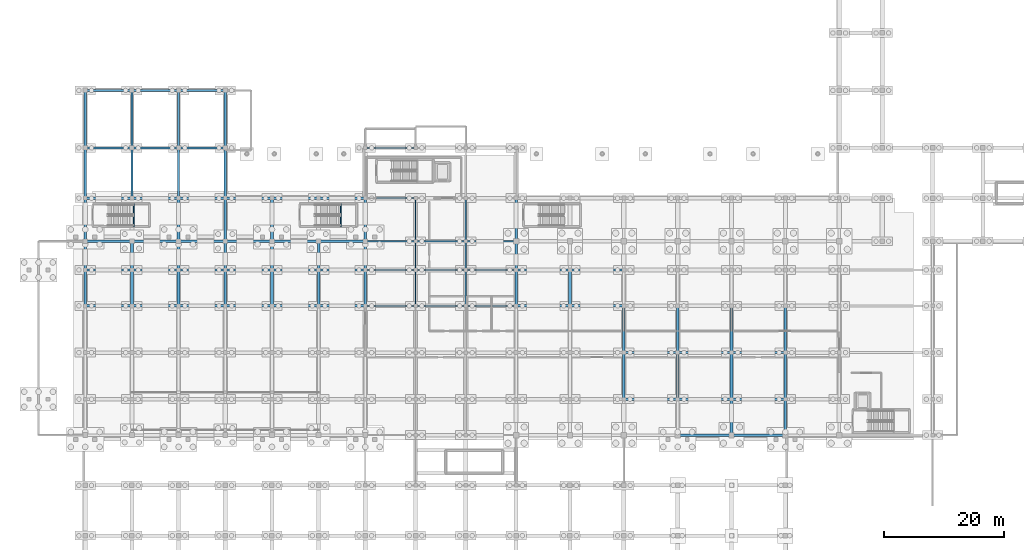
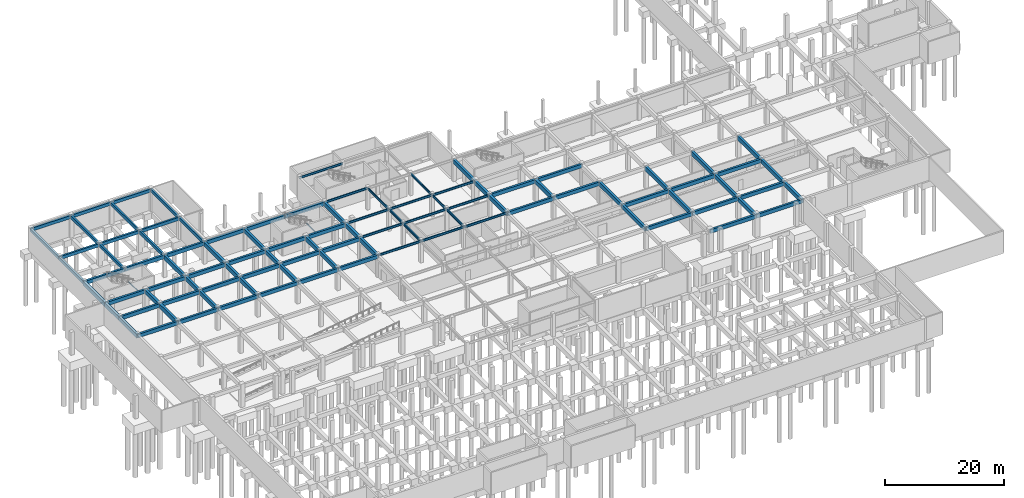
# One storey, part 13 of 26: 102 beams.
"""IFC4 building model written with IfcOpenShell, lengths in metres."""

from ifc_helpers import new_model, si_unit, direction, frame, origin, origin_2d, place, context, subcontext, project, spatial, rectangle, i_section, extrude, material, material_profile, profile_set, type_object, element, save


model = new_model("IFC4")

# Units and contexts
model_context = context("Model", 3, precision=1e-05, world=origin(), true_north=direction((0.0, 1.0)))
body_context = subcontext(model_context, "Body", "Model", "MODEL_VIEW")
ifc_project = project(units=[si_unit("LENGTHUNIT", "METRE"), si_unit("AREAUNIT", "SQUARE_METRE"), si_unit("VOLUMEUNIT", "CUBIC_METRE"), si_unit("PLANEANGLEUNIT", "RADIAN"), si_unit("MASSUNIT", "GRAM", prefix="KILO")], contexts=[model_context])

# Site, building, storey
site_placement = place(None, origin())
site = spatial("IfcSite", under=ifc_project, at=site_placement, CompositionType="ELEMENT")
building_placement = place(site_placement, origin())
building = spatial("IfcBuilding", under=site, at=building_placement, Name="Tizgana Railside Sports Hall", CompositionType="ELEMENT")
storey_placement = place(building_placement, frame((0.0, 0.0, -4.800048828125)))
storey = spatial("IfcBuildingStorey", under=building, at=storey_placement, Name="B1", CompositionType="ELEMENT", Elevation=-4.800048828125)

# Beams
ifc_material_1 = material(Name="Concrete C35/45", Category="concrete")
ifc_material_profile_1 = material_profile(ifc_material_1, rectangle(XDim=0.35009765625, YDim=0.64990234375, at=origin_2d()), Name="RCB 350x650")
ifc_profile_set_1 = profile_set([ifc_material_profile_1], Name="Concrete C35/45")
beam_type_1 = type_object("IfcBeamType", Name="Concrete Beam RCB 350x650", PredefinedType="BEAM", material=ifc_profile_set_1)
beam_1_placement = place(storey_placement, frame((7.800048828125, 80.39990234375, 4.175048828125), z_axis=(0.0, 1.0, 0.0), x_axis=(-1.0, 0.0, 0.0)))
element("IfcBeam", 1, at=beam_1_placement, inside=storey, type_object=beam_type_1, Name="B1 BEM-1302", PredefinedType="BEAM", context=body_context, shape_type="SweptSolid", body=[
    extrude(rectangle(XDim=0.35009765625, YDim=0.64990234375, at=origin_2d()), origin(), (0.0, 0.0, 1.0), 8.400146484375),
])
beam_2_placement = place(storey_placement, frame((7.800048828125, 88.800048828125, 4.175048828125), z_axis=(0.0, 1.0, 0.0), x_axis=(-1.0, 0.0, 0.0)))
element("IfcBeam", 2, at=beam_2_placement, inside=storey, type_object=beam_type_1, Name="B1 BEM-1304", PredefinedType="BEAM", context=body_context, shape_type="SweptSolid", body=[
    extrude(rectangle(XDim=0.35009765625, YDim=0.64990234375, at=origin_2d()), origin(), (0.0, 0.0, 1.0), 9.599853515625),
])
beam_3_placement = place(storey_placement, frame((15.60009765625, 80.39990234375, 4.175048828125), z_axis=(0.0, 1.0, 0.0), x_axis=(-1.0, 0.0, 0.0)))
element("IfcBeam", 3, at=beam_3_placement, inside=storey, type_object=beam_type_1, Name="B1 BEM-1306", PredefinedType="BEAM", context=body_context, shape_type="SweptSolid", body=[
    extrude(rectangle(XDim=0.35009765625, YDim=0.64990234375, at=origin_2d()), origin(), (0.0, 0.0, 1.0), 8.400146484375),
])
beam_4_placement = place(storey_placement, frame((15.60009765625, 88.800048828125, 4.175048828125), z_axis=(0.0, 1.0, 0.0), x_axis=(-1.0, 0.0, 0.0)))
element("IfcBeam", 4, at=beam_4_placement, inside=storey, type_object=beam_type_1, Name="B1 BEM-1308", PredefinedType="BEAM", context=body_context, shape_type="SweptSolid", body=[
    extrude(rectangle(XDim=0.35009765625, YDim=0.64990234375, at=origin_2d()), origin(), (0.0, 0.0, 1.0), 9.599853515625),
])
beam_5_placement = place(storey_placement, frame((23.39990234375, 80.39990234375, 4.175048828125), z_axis=(0.0, 1.0, 0.0), x_axis=(-1.0, 0.0, 0.0)))
element("IfcBeam", 5, at=beam_5_placement, inside=storey, type_object=beam_type_1, Name="B1 BEM-1310", PredefinedType="BEAM", context=body_context, shape_type="SweptSolid", body=[
    extrude(rectangle(XDim=0.35009765625, YDim=0.64990234375, at=origin_2d()), origin(), (0.0, 0.0, 1.0), 8.400146484375),
])
beam_6_placement = place(storey_placement, frame((23.39990234375, 88.800048828125, 4.175048828125), z_axis=(0.0, 1.0, 0.0), x_axis=(-1.0, 0.0, 0.0)))
element("IfcBeam", 6, at=beam_6_placement, inside=storey, type_object=beam_type_1, Name="B1 BEM-1312", PredefinedType="BEAM", context=body_context, shape_type="SweptSolid", body=[
    extrude(rectangle(XDim=0.35009765625, YDim=0.64990234375, at=origin_2d()), origin(), (0.0, 0.0, 1.0), 9.599853515625),
])
beam_7_placement = place(storey_placement, frame((31.199951171875, 80.39990234375, 4.175048828125), z_axis=(0.0, 1.0, 0.0), x_axis=(-1.0, 0.0, 0.0)))
element("IfcBeam", 7, at=beam_7_placement, inside=storey, type_object=beam_type_1, Name="B1 BEM-1314", PredefinedType="BEAM", context=body_context, shape_type="SweptSolid", body=[
    extrude(rectangle(XDim=0.35009765625, YDim=0.64990234375, at=origin_2d()), origin(), (0.0, 0.0, 1.0), 8.400146484375),
])
beam_8_placement = place(storey_placement, frame((31.199951171875, 88.800048828125, 4.175048828125), z_axis=(0.0, 1.0, 0.0), x_axis=(-1.0, 0.0, 0.0)))
element("IfcBeam", 8, at=beam_8_placement, inside=storey, type_object=beam_type_1, Name="B1 BEM-1316", PredefinedType="BEAM", context=body_context, shape_type="SweptSolid", body=[
    extrude(rectangle(XDim=0.35009765625, YDim=0.64990234375, at=origin_2d()), origin(), (0.0, 0.0, 1.0), 9.599853515625),
])
for number, where, z_axis, x_axis, name in (
    (9, (7.800048828125, 88.800048828125, 4.175048828125), (1.0, 0.0, 0.0), (0.0, 1.0, 0.0), "B1 BEM-1318"),
    (10, (7.800048828125, 98.39990234375, 4.175048828125), (1.0, 0.0, 0.0), (0.0, 1.0, 0.0), "B1 BEM-1320"),
):
    element("IfcBeam", number, at=place(storey_placement, frame(where, z_axis=z_axis, x_axis=x_axis)), inside=storey, type_object=beam_type_1, Name=name, PredefinedType="BEAM", context=body_context, shape_type="SweptSolid", body=[
        extrude(rectangle(XDim=0.35009765625, YDim=0.64990234375, at=origin_2d()), origin(), (0.0, 0.0, 1.0), 7.800048828125),
    ])
for number, where, z_axis, x_axis, name in (
    (11, (15.60009765625, 88.800048828125, 4.175048828125), (1.0, 0.0, 0.0), (0.0, 1.0, 0.0), "B1 BEM-1322"),
    (12, (15.60009765625, 98.39990234375, 4.175048828125), (1.0, 0.0, 0.0), (0.0, 1.0, 0.0), "B1 BEM-1324"),
):
    element("IfcBeam", number, at=place(storey_placement, frame(where, z_axis=z_axis, x_axis=x_axis)), inside=storey, type_object=beam_type_1, Name=name, PredefinedType="BEAM", context=body_context, shape_type="SweptSolid", body=[
        extrude(rectangle(XDim=0.35009765625, YDim=0.64990234375, at=origin_2d()), origin(), (0.0, 0.0, 1.0), 7.7998046875),
    ])
for number, where, z_axis, x_axis, name in (
    (13, (23.39990234375, 88.800048828125, 4.175048828125), (1.0, 0.0, 0.0), (0.0, 1.0, 0.0), "B1 BEM-1326"),
    (14, (23.39990234375, 98.39990234375, 4.175048828125), (1.0, 0.0, 0.0), (0.0, 1.0, 0.0), "B1 BEM-1328"),
):
    element("IfcBeam", number, at=place(storey_placement, frame(where, z_axis=z_axis, x_axis=x_axis)), inside=storey, type_object=beam_type_1, Name=name, PredefinedType="BEAM", context=body_context, shape_type="SweptSolid", body=[
        extrude(rectangle(XDim=0.35009765625, YDim=0.64990234375, at=origin_2d()), origin(), (0.0, 0.0, 1.0), 7.800048828125),
    ])
ifc_material_profile_2 = material_profile(ifc_material_1, rectangle(XDim=0.39990234375, YDim=0.75, at=origin_2d()), Name="RCB 400x750")
ifc_profile_set_2 = profile_set([ifc_material_profile_2], Name="Concrete C35/45")
beam_type_2 = type_object("IfcBeamType", Name="Concrete Beam RCB 400x750", PredefinedType="BEAM", material=ifc_profile_set_2)
for number, where, z_axis, x_axis, name in (
    (15, (7.800048828125, 62.39990234375, 4.151123046875), (1.0, 0.0, 0.0), (0.0, 1.0, 0.0), "B1 BEM-1031"),
    (16, (7.800048828125, 68.39990234375, 4.151123046875), (1.0, 0.0, 0.0), (0.0, 1.0, 0.0), "B1 BEM-1032"),
    (17, (7.800048828125, 73.199951171875, 4.151123046875), (1.0, 0.0, 0.0), (0.0, 1.0, 0.0), "B1 BEM-1033"),
    (18, (7.800048828125, 80.39990234375, 4.151123046875), (1.0, 0.0, 0.0), (0.0, 1.0, 0.0), "B1 BEM-1034"),
):
    element("IfcBeam", number, at=place(storey_placement, frame(where, z_axis=z_axis, x_axis=x_axis)), inside=storey, type_object=beam_type_2, Name=name, PredefinedType="BEAM", context=body_context, shape_type="SweptSolid", body=[
        extrude(rectangle(XDim=0.39990234375, YDim=0.75, at=origin_2d()), origin(), (0.0, 0.0, 1.0), 7.800048828125),
    ])
for number, where, z_axis, x_axis, name in (
    (19, (15.60009765625, 62.39990234375, 4.151123046875), (1.0, 0.0, 0.0), (0.0, 1.0, 0.0), "B1 BEM-1038"),
    (20, (15.60009765625, 68.39990234375, 4.151123046875), (1.0, 0.0, 0.0), (0.0, 1.0, 0.0), "B1 BEM-1039"),
    (21, (15.60009765625, 73.199951171875, 4.151123046875), (1.0, 0.0, 0.0), (0.0, 1.0, 0.0), "B1 BEM-1040"),
    (22, (15.60009765625, 80.39990234375, 4.151123046875), (1.0, 0.0, 0.0), (0.0, 1.0, 0.0), "B1 BEM-1041"),
):
    element("IfcBeam", number, at=place(storey_placement, frame(where, z_axis=z_axis, x_axis=x_axis)), inside=storey, type_object=beam_type_2, Name=name, PredefinedType="BEAM", context=body_context, shape_type="SweptSolid", body=[
        extrude(rectangle(XDim=0.39990234375, YDim=0.75, at=origin_2d()), origin(), (0.0, 0.0, 1.0), 7.7998046875),
    ])
for number, where, z_axis, x_axis, name in (
    (23, (23.39990234375, 62.39990234375, 4.151123046875), (1.0, 0.0, 0.0), (0.0, 1.0, 0.0), "B1 BEM-1045"),
    (24, (23.39990234375, 68.39990234375, 4.151123046875), (1.0, 0.0, 0.0), (0.0, 1.0, 0.0), "B1 BEM-1046"),
    (25, (23.39990234375, 73.199951171875, 4.151123046875), (1.0, 0.0, 0.0), (0.0, 1.0, 0.0), "B1 BEM-1047"),
    (26, (23.39990234375, 80.39990234375, 4.151123046875), (1.0, 0.0, 0.0), (0.0, 1.0, 0.0), "B1 BEM-1048"),
    (27, (31.199951171875, 62.39990234375, 4.151123046875), (1.0, 0.0, 0.0), (0.0, 1.0, 0.0), "B1 BEM-1052"),
    (28, (31.199951171875, 68.39990234375, 4.151123046875), (1.0, 0.0, 0.0), (0.0, 1.0, 0.0), "B1 BEM-1053"),
    (29, (31.199951171875, 73.199951171875, 4.151123046875), (1.0, 0.0, 0.0), (0.0, 1.0, 0.0), "B1 BEM-1054"),
    (30, (31.199951171875, 80.39990234375, 4.151123046875), (1.0, 0.0, 0.0), (0.0, 1.0, 0.0), "B1 BEM-1055"),
    (31, (39.0, 62.39990234375, 4.151123046875), (1.0, 0.0, 0.0), (0.0, 1.0, 0.0), "B1 BEM-1059"),
    (32, (39.0, 68.39990234375, 4.151123046875), (1.0, 0.0, 0.0), (0.0, 1.0, 0.0), "B1 BEM-1060"),
    (33, (39.0, 73.199951171875, 4.151123046875), (1.0, 0.0, 0.0), (0.0, 1.0, 0.0), "B1 BEM-1061"),
    (34, (39.0, 80.39990234375, 4.151123046875), (1.0, 0.0, 0.0), (0.0, 1.0, 0.0), "B1 BEM-1062"),
    (35, (46.800048828125, 62.39990234375, 4.151123046875), (1.0, 0.0, 0.0), (0.0, 1.0, 0.0), "B1 BEM-1066"),
    (36, (46.800048828125, 68.39990234375, 4.151123046875), (1.0, 0.0, 0.0), (0.0, 1.0, 0.0), "B1 BEM-1067"),
    (37, (46.800048828125, 73.199951171875, 4.151123046875), (1.0, 0.0, 0.0), (0.0, 1.0, 0.0), "B1 BEM-1068"),
    (38, (46.800048828125, 80.39990234375, 4.151123046875), (1.0, 0.0, 0.0), (0.0, 1.0, 0.0), "B1 BEM-1069"),
):
    element("IfcBeam", number, at=place(storey_placement, frame(where, z_axis=z_axis, x_axis=x_axis)), inside=storey, type_object=beam_type_2, Name=name, PredefinedType="BEAM", context=body_context, shape_type="SweptSolid", body=[
        extrude(rectangle(XDim=0.39990234375, YDim=0.75, at=origin_2d()), origin(), (0.0, 0.0, 1.0), 7.800048828125),
    ])
for number, where, z_axis, x_axis, name in (
    (39, (79.800048828125, 62.39990234375, 4.10107421875), (1.0, 0.0, 0.0), (0.0, 1.0, 0.0), "B1 BEM-1114"),
    (40, (79.800048828125, 68.39990234375, 4.10107421875), (1.0, 0.0, 0.0), (0.0, 1.0, 0.0), "B1 BEM-1115"),
    (41, (88.800048828125, 62.39990234375, 4.10107421875), (1.0, 0.0, 0.0), (0.0, 1.0, 0.0), "B1 BEM-1121"),
    (42, (88.800048828125, 68.39990234375, 4.10107421875), (1.0, 0.0, 0.0), (0.0, 1.0, 0.0), "B1 BEM-1122"),
    (43, (97.800048828125, 46.800048828125, 4.10107421875), (1.0, 0.0, 0.0), (0.0, 1.0, 0.0), "B1 BEM-1126"),
    (44, (97.800048828125, 54.60009765625, 4.10107421875), (1.0, 0.0, 0.0), (0.0, 1.0, 0.0), "B1 BEM-1127"),
    (45, (106.800048828125, 40.800048828125, 4.10107421875), (1.0, 0.0, 0.0), (0.0, 1.0, 0.0), "B1 BEM-1132"),
    (46, (106.800048828125, 46.800048828125, 4.10107421875), (1.0, 0.0, 0.0), (0.0, 1.0, 0.0), "B1 BEM-1133"),
    (47, (106.800048828125, 54.60009765625, 4.10107421875), (1.0, 0.0, 0.0), (0.0, 1.0, 0.0), "B1 BEM-1134"),
    (48, (115.800048828125, 40.800048828125, 4.10107421875), (1.0, 0.0, 0.0), (0.0, 1.0, 0.0), "B1 BEM-1139"),
    (49, (115.800048828125, 46.800048828125, 4.10107421875), (1.0, 0.0, 0.0), (0.0, 1.0, 0.0), "B1 BEM-1140"),
    (50, (115.800048828125, 54.60009765625, 4.10107421875), (1.0, 0.0, 0.0), (0.0, 1.0, 0.0), "B1 BEM-1141"),
):
    element("IfcBeam", number, at=place(storey_placement, frame(where, z_axis=z_axis, x_axis=x_axis)), inside=storey, type_object=beam_type_2, Name=name, PredefinedType="BEAM", context=body_context, shape_type="SweptSolid", body=[
        extrude(rectangle(XDim=0.39990234375, YDim=0.75, at=origin_2d()), origin(), (0.0, 0.0, 1.0), 9.0),
    ])
ifc_material_2 = material(Name="Concrete C40/50", Category="concrete")
ifc_material_profile_3 = material_profile(ifc_material_2, rectangle(XDim=0.449951171875, YDim=0.85009765625, at=origin_2d()), Name="RCB 450x850")
ifc_profile_set_3 = profile_set([ifc_material_profile_3], Name="Concrete C40/50")
beam_type_3 = type_object("IfcBeamType", Name="Concrete Beam RCB 450x850", PredefinedType="BEAM", material=ifc_profile_set_3)
beam_9_placement = place(storey_placement, frame((7.800048828125, 62.39990234375, 4.10107421875), z_axis=(0.0, 1.0, 0.0), x_axis=(-1.0, 0.0, 0.0)))
element("IfcBeam", 51, at=beam_9_placement, inside=storey, type_object=beam_type_3, Name="B1 BEM-0991", PredefinedType="BEAM", context=body_context, shape_type="SweptSolid", body=[
    extrude(rectangle(XDim=0.449951171875, YDim=0.85009765625, at=origin_2d()), origin(), (0.0, 0.0, 1.0), 6.0),
])
beam_10_placement = place(storey_placement, frame((7.800048828125, 68.39990234375, 4.10107421875), z_axis=(0.0, 1.0, 0.0), x_axis=(-1.0, 0.0, 0.0)))
element("IfcBeam", 52, at=beam_10_placement, inside=storey, type_object=beam_type_3, Name="B1 BEM-0992", PredefinedType="BEAM", context=body_context, shape_type="SweptSolid", body=[
    extrude(rectangle(XDim=0.449951171875, YDim=0.85009765625, at=origin_2d()), origin(), (0.0, 0.0, 1.0), 4.800048828125),
])
beam_11_placement = place(storey_placement, frame((7.800048828125, 73.199951171875, 4.10107421875), z_axis=(0.0, 1.0, 0.0), x_axis=(-1.0, 0.0, 0.0)))
element("IfcBeam", 53, at=beam_11_placement, inside=storey, type_object=beam_type_3, Name="B1 BEM-0993", PredefinedType="BEAM", context=body_context, shape_type="SweptSolid", body=[
    extrude(rectangle(XDim=0.449951171875, YDim=0.85009765625, at=origin_2d()), origin(), (0.0, 0.0, 1.0), 7.199951171875),
])
beam_12_placement = place(storey_placement, frame((15.60009765625, 62.39990234375, 4.10107421875), z_axis=(0.0, 1.0, 0.0), x_axis=(-1.0, 0.0, 0.0)))
element("IfcBeam", 54, at=beam_12_placement, inside=storey, type_object=beam_type_3, Name="B1 BEM-0997", PredefinedType="BEAM", context=body_context, shape_type="SweptSolid", body=[
    extrude(rectangle(XDim=0.449951171875, YDim=0.85009765625, at=origin_2d()), origin(), (0.0, 0.0, 1.0), 6.0),
])
beam_13_placement = place(storey_placement, frame((15.60009765625, 68.39990234375, 4.10107421875), z_axis=(0.0, 1.0, 0.0), x_axis=(-1.0, 0.0, 0.0)))
element("IfcBeam", 55, at=beam_13_placement, inside=storey, type_object=beam_type_3, Name="B1 BEM-0998", PredefinedType="BEAM", context=body_context, shape_type="SweptSolid", body=[
    extrude(rectangle(XDim=0.449951171875, YDim=0.85009765625, at=origin_2d()), origin(), (0.0, 0.0, 1.0), 4.800048828125),
])
beam_14_placement = place(storey_placement, frame((23.39990234375, 62.39990234375, 4.10107421875), z_axis=(0.0, 1.0, 0.0), x_axis=(-1.0, 0.0, 0.0)))
element("IfcBeam", 56, at=beam_14_placement, inside=storey, type_object=beam_type_3, Name="B1 BEM-1002", PredefinedType="BEAM", context=body_context, shape_type="SweptSolid", body=[
    extrude(rectangle(XDim=0.449951171875, YDim=0.85009765625, at=origin_2d()), origin(), (0.0, 0.0, 1.0), 6.0),
])
beam_15_placement = place(storey_placement, frame((23.39990234375, 68.39990234375, 4.10107421875), z_axis=(0.0, 1.0, 0.0), x_axis=(-1.0, 0.0, 0.0)))
element("IfcBeam", 57, at=beam_15_placement, inside=storey, type_object=beam_type_3, Name="B1 BEM-1003", PredefinedType="BEAM", context=body_context, shape_type="SweptSolid", body=[
    extrude(rectangle(XDim=0.449951171875, YDim=0.85009765625, at=origin_2d()), origin(), (0.0, 0.0, 1.0), 4.800048828125),
])
beam_16_placement = place(storey_placement, frame((23.39990234375, 73.199951171875, 4.10107421875), z_axis=(0.0, 1.0, 0.0), x_axis=(-1.0, 0.0, 0.0)))
element("IfcBeam", 58, at=beam_16_placement, inside=storey, type_object=beam_type_3, Name="B1 BEM-1004", PredefinedType="BEAM", context=body_context, shape_type="SweptSolid", body=[
    extrude(rectangle(XDim=0.449951171875, YDim=0.85009765625, at=origin_2d()), origin(), (0.0, 0.0, 1.0), 7.199951171875),
])
beam_17_placement = place(storey_placement, frame((31.199951171875, 62.39990234375, 4.10107421875), z_axis=(0.0, 1.0, 0.0), x_axis=(-1.0, 0.0, 0.0)))
element("IfcBeam", 59, at=beam_17_placement, inside=storey, type_object=beam_type_3, Name="B1 BEM-1008", PredefinedType="BEAM", context=body_context, shape_type="SweptSolid", body=[
    extrude(rectangle(XDim=0.449951171875, YDim=0.85009765625, at=origin_2d()), origin(), (0.0, 0.0, 1.0), 6.0),
])
beam_18_placement = place(storey_placement, frame((31.199951171875, 68.39990234375, 4.10107421875), z_axis=(0.0, 1.0, 0.0), x_axis=(-1.0, 0.0, 0.0)))
element("IfcBeam", 60, at=beam_18_placement, inside=storey, type_object=beam_type_3, Name="B1 BEM-1009", PredefinedType="BEAM", context=body_context, shape_type="SweptSolid", body=[
    extrude(rectangle(XDim=0.449951171875, YDim=0.85009765625, at=origin_2d()), origin(), (0.0, 0.0, 1.0), 4.800048828125),
])
beam_19_placement = place(storey_placement, frame((31.199951171875, 73.199951171875, 4.10107421875), z_axis=(0.0, 1.0, 0.0), x_axis=(-1.0, 0.0, 0.0)))
element("IfcBeam", 61, at=beam_19_placement, inside=storey, type_object=beam_type_3, Name="B1 BEM-1010", PredefinedType="BEAM", context=body_context, shape_type="SweptSolid", body=[
    extrude(rectangle(XDim=0.449951171875, YDim=0.85009765625, at=origin_2d()), origin(), (0.0, 0.0, 1.0), 7.199951171875),
])
beam_20_placement = place(storey_placement, frame((39.0, 62.39990234375, 4.10107421875), z_axis=(0.0, 1.0, 0.0), x_axis=(-1.0, 0.0, 0.0)))
element("IfcBeam", 62, at=beam_20_placement, inside=storey, type_object=beam_type_3, Name="B1 BEM-1014", PredefinedType="BEAM", context=body_context, shape_type="SweptSolid", body=[
    extrude(rectangle(XDim=0.449951171875, YDim=0.85009765625, at=origin_2d()), origin(), (0.0, 0.0, 1.0), 6.0),
])
beam_21_placement = place(storey_placement, frame((39.0, 68.39990234375, 4.10107421875), z_axis=(0.0, 1.0, 0.0), x_axis=(-1.0, 0.0, 0.0)))
element("IfcBeam", 63, at=beam_21_placement, inside=storey, type_object=beam_type_3, Name="B1 BEM-1015", PredefinedType="BEAM", context=body_context, shape_type="SweptSolid", body=[
    extrude(rectangle(XDim=0.449951171875, YDim=0.85009765625, at=origin_2d()), origin(), (0.0, 0.0, 1.0), 4.800048828125),
])
beam_22_placement = place(storey_placement, frame((39.0, 73.199951171875, 4.10107421875), z_axis=(0.0, 1.0, 0.0), x_axis=(-1.0, 0.0, 0.0)))
element("IfcBeam", 64, at=beam_22_placement, inside=storey, type_object=beam_type_3, Name="B1 BEM-1016", PredefinedType="BEAM", context=body_context, shape_type="SweptSolid", body=[
    extrude(rectangle(XDim=0.449951171875, YDim=0.85009765625, at=origin_2d()), origin(), (0.0, 0.0, 1.0), 7.199951171875),
])
beam_23_placement = place(storey_placement, frame((46.800048828125, 62.39990234375, 4.10107421875), z_axis=(0.0, 1.0, 0.0), x_axis=(-1.0, 0.0, 0.0)))
element("IfcBeam", 65, at=beam_23_placement, inside=storey, type_object=beam_type_3, Name="B1 BEM-1020", PredefinedType="BEAM", context=body_context, shape_type="SweptSolid", body=[
    extrude(rectangle(XDim=0.449951171875, YDim=0.85009765625, at=origin_2d()), origin(), (0.0, 0.0, 1.0), 6.0),
])
beam_24_placement = place(storey_placement, frame((46.800048828125, 68.39990234375, 4.10107421875), z_axis=(0.0, 1.0, 0.0), x_axis=(-1.0, 0.0, 0.0)))
element("IfcBeam", 66, at=beam_24_placement, inside=storey, type_object=beam_type_3, Name="B1 BEM-1021", PredefinedType="BEAM", context=body_context, shape_type="SweptSolid", body=[
    extrude(rectangle(XDim=0.449951171875, YDim=0.85009765625, at=origin_2d()), origin(), (0.0, 0.0, 1.0), 4.800048828125),
])
beam_25_placement = place(storey_placement, frame((54.60009765625, 62.39990234375, 4.10107421875), z_axis=(0.0, 1.0, 0.0), x_axis=(-1.0, 0.0, 0.0)))
element("IfcBeam", 67, at=beam_25_placement, inside=storey, type_object=beam_type_3, Name="B1 BEM-1025", PredefinedType="BEAM", context=body_context, shape_type="SweptSolid", body=[
    extrude(rectangle(XDim=0.449951171875, YDim=0.85009765625, at=origin_2d()), origin(), (0.0, 0.0, 1.0), 6.0),
])
beam_26_placement = place(storey_placement, frame((54.60009765625, 68.39990234375, 4.10107421875), z_axis=(0.0, 1.0, 0.0), x_axis=(-1.0, 0.0, 0.0)))
element("IfcBeam", 68, at=beam_26_placement, inside=storey, type_object=beam_type_3, Name="B1 BEM-1026", PredefinedType="BEAM", context=body_context, shape_type="SweptSolid", body=[
    extrude(rectangle(XDim=0.449951171875, YDim=0.85009765625, at=origin_2d()), origin(), (0.0, 0.0, 1.0), 4.800048828125),
])
beam_27_placement = place(storey_placement, frame((54.60009765625, 73.199951171875, 4.10107421875), z_axis=(0.0, 1.0, 0.0), x_axis=(-1.0, 0.0, 0.0)))
element("IfcBeam", 69, at=beam_27_placement, inside=storey, type_object=beam_type_3, Name="B1 BEM-1027", PredefinedType="BEAM", context=body_context, shape_type="SweptSolid", body=[
    extrude(rectangle(XDim=0.449951171875, YDim=0.85009765625, at=origin_2d()), origin(), (0.0, 0.0, 1.0), 7.199951171875),
])
beam_28_placement = place(storey_placement, frame((79.800048828125, 62.39990234375, 4.051025390625), z_axis=(0.0, 1.0, 0.0), x_axis=(-1.0, 0.0, 0.0)))
element("IfcBeam", 70, at=beam_28_placement, inside=storey, type_object=beam_type_3, Name="B1 BEM-1073", PredefinedType="BEAM", context=body_context, shape_type="SweptSolid", body=[
    extrude(rectangle(XDim=0.449951171875, YDim=0.85009765625, at=origin_2d()), origin(), (0.0, 0.0, 1.0), 6.0),
])
beam_29_placement = place(storey_placement, frame((79.800048828125, 68.39990234375, 4.051025390625), z_axis=(0.0, 1.0, 0.0), x_axis=(-1.0, 0.0, 0.0)))
element("IfcBeam", 71, at=beam_29_placement, inside=storey, type_object=beam_type_3, Name="B1 BEM-1074", PredefinedType="BEAM", context=body_context, shape_type="SweptSolid", body=[
    extrude(rectangle(XDim=0.449951171875, YDim=0.85009765625, at=origin_2d()), origin(), (0.0, 0.0, 1.0), 4.800048828125),
])
beam_30_placement = place(storey_placement, frame((79.800048828125, 73.199951171875, 4.051025390625), z_axis=(0.0, 1.0, 0.0), x_axis=(-1.0, 0.0, 0.0)))
element("IfcBeam", 72, at=beam_30_placement, inside=storey, type_object=beam_type_3, Name="B1 BEM-1075", PredefinedType="BEAM", context=body_context, shape_type="SweptSolid", body=[
    extrude(rectangle(XDim=0.449951171875, YDim=0.85009765625, at=origin_2d()), origin(), (0.0, 0.0, 1.0), 7.199951171875),
])
beam_31_placement = place(storey_placement, frame((88.800048828125, 62.39990234375, 4.051025390625), z_axis=(0.0, 1.0, 0.0), x_axis=(-1.0, 0.0, 0.0)))
element("IfcBeam", 73, at=beam_31_placement, inside=storey, type_object=beam_type_3, Name="B1 BEM-1079", PredefinedType="BEAM", context=body_context, shape_type="SweptSolid", body=[
    extrude(rectangle(XDim=0.449951171875, YDim=0.85009765625, at=origin_2d()), origin(), (0.0, 0.0, 1.0), 6.0),
])
beam_32_placement = place(storey_placement, frame((97.800048828125, 46.800048828125, 4.051025390625), z_axis=(0.0, 1.0, 0.0), x_axis=(-1.0, 0.0, 0.0)))
element("IfcBeam", 74, at=beam_32_placement, inside=storey, type_object=beam_type_3, Name="B1 BEM-1082", PredefinedType="BEAM", context=body_context, shape_type="SweptSolid", body=[
    extrude(rectangle(XDim=0.449951171875, YDim=0.85009765625, at=origin_2d()), origin(), (0.0, 0.0, 1.0), 7.800048828125),
])
beam_33_placement = place(storey_placement, frame((97.800048828125, 54.60009765625, 4.051025390625), z_axis=(0.0, 1.0, 0.0), x_axis=(-1.0, 0.0, 0.0)))
element("IfcBeam", 75, at=beam_33_placement, inside=storey, type_object=beam_type_3, Name="B1 BEM-1083", PredefinedType="BEAM", context=body_context, shape_type="SweptSolid", body=[
    extrude(rectangle(XDim=0.449951171875, YDim=0.85009765625, at=origin_2d()), origin(), (0.0, 0.0, 1.0), 7.7998046875),
])
beam_34_placement = place(storey_placement, frame((106.800048828125, 46.800048828125, 4.051025390625), z_axis=(0.0, 1.0, 0.0), x_axis=(-1.0, 0.0, 0.0)))
element("IfcBeam", 76, at=beam_34_placement, inside=storey, type_object=beam_type_3, Name="B1 BEM-1088", PredefinedType="BEAM", context=body_context, shape_type="SweptSolid", body=[
    extrude(rectangle(XDim=0.449951171875, YDim=0.85009765625, at=origin_2d()), origin(), (0.0, 0.0, 1.0), 7.800048828125),
])
beam_35_placement = place(storey_placement, frame((106.800048828125, 54.60009765625, 4.051025390625), z_axis=(0.0, 1.0, 0.0), x_axis=(-1.0, 0.0, 0.0)))
element("IfcBeam", 77, at=beam_35_placement, inside=storey, type_object=beam_type_3, Name="B1 BEM-1089", PredefinedType="BEAM", context=body_context, shape_type="SweptSolid", body=[
    extrude(rectangle(XDim=0.449951171875, YDim=0.85009765625, at=origin_2d()), origin(), (0.0, 0.0, 1.0), 7.7998046875),
])
beam_36_placement = place(storey_placement, frame((115.800048828125, 40.800048828125, 4.051025390625), z_axis=(0.0, 1.0, 0.0), x_axis=(-1.0, 0.0, 0.0)))
element("IfcBeam", 78, at=beam_36_placement, inside=storey, type_object=beam_type_3, Name="B1 BEM-1093", PredefinedType="BEAM", context=body_context, shape_type="SweptSolid", body=[
    extrude(rectangle(XDim=0.449951171875, YDim=0.85009765625, at=origin_2d()), origin(), (0.0, 0.0, 1.0), 6.0),
])
beam_37_placement = place(storey_placement, frame((115.800048828125, 46.800048828125, 4.051025390625), z_axis=(0.0, 1.0, 0.0), x_axis=(-1.0, 0.0, 0.0)))
element("IfcBeam", 79, at=beam_37_placement, inside=storey, type_object=beam_type_3, Name="B1 BEM-1094", PredefinedType="BEAM", context=body_context, shape_type="SweptSolid", body=[
    extrude(rectangle(XDim=0.449951171875, YDim=0.85009765625, at=origin_2d()), origin(), (0.0, 0.0, 1.0), 7.800048828125),
])
beam_38_placement = place(storey_placement, frame((115.800048828125, 54.60009765625, 4.051025390625), z_axis=(0.0, 1.0, 0.0), x_axis=(-1.0, 0.0, 0.0)))
element("IfcBeam", 80, at=beam_38_placement, inside=storey, type_object=beam_type_3, Name="B1 BEM-1095", PredefinedType="BEAM", context=body_context, shape_type="SweptSolid", body=[
    extrude(rectangle(XDim=0.449951171875, YDim=0.85009765625, at=origin_2d()), origin(), (0.0, 0.0, 1.0), 7.7998046875),
])
beam_39_placement = place(storey_placement, frame((124.800048828125, 40.800048828125, 4.051025390625), z_axis=(0.0, 1.0, 0.0), x_axis=(-1.0, 0.0, 0.0)))
element("IfcBeam", 81, at=beam_39_placement, inside=storey, type_object=beam_type_3, Name="B1 BEM-1099", PredefinedType="BEAM", context=body_context, shape_type="SweptSolid", body=[
    extrude(rectangle(XDim=0.449951171875, YDim=0.85009765625, at=origin_2d()), origin(), (0.0, 0.0, 1.0), 6.0),
])
beam_40_placement = place(storey_placement, frame((124.800048828125, 46.800048828125, 4.051025390625), z_axis=(0.0, 1.0, 0.0), x_axis=(-1.0, 0.0, 0.0)))
element("IfcBeam", 82, at=beam_40_placement, inside=storey, type_object=beam_type_3, Name="B1 BEM-1100", PredefinedType="BEAM", context=body_context, shape_type="SweptSolid", body=[
    extrude(rectangle(XDim=0.449951171875, YDim=0.85009765625, at=origin_2d()), origin(), (0.0, 0.0, 1.0), 7.800048828125),
])
beam_41_placement = place(storey_placement, frame((124.800048828125, 54.60009765625, 4.051025390625), z_axis=(0.0, 1.0, 0.0), x_axis=(-1.0, 0.0, 0.0)))
element("IfcBeam", 83, at=beam_41_placement, inside=storey, type_object=beam_type_3, Name="B1 BEM-1101", PredefinedType="BEAM", context=body_context, shape_type="SweptSolid", body=[
    extrude(rectangle(XDim=0.449951171875, YDim=0.85009765625, at=origin_2d()), origin(), (0.0, 0.0, 1.0), 7.7998046875),
])
ifc_material_3 = material(Name="Steel S355J2", Category="steel")
ifc_material_profile_4 = material_profile(ifc_material_3, i_section(OverallWidth=0.1201171875, OverallDepth=0.239990234375, WebThickness=0.006103515625, FlangeThickness=0.009765625, FilletRadius=0.014892578125, at=origin_2d()), Name="IPE 240")
ifc_profile_set_4 = profile_set([ifc_material_profile_4], Name="Steel S355J2")
beam_type_4 = type_object("IfcBeamType", Name="Stair Mid-Landing Header IPE 240", PredefinedType="JOIST", material=ifc_profile_set_4)
for number, where, z_axis, x_axis, name in (
    (84, (50.5, 75.64990234375, 2.078125), (0.0, 1.0, 0.0), (-1.0, 0.0, 0.0), "B1 C6 Mid Header 1"),
    (85, (15.89990234375, 75.64990234375, 2.078125), (0.0, 1.0, 0.0), (-1.0, 0.0, 0.0), "B1 C7 Mid Header 1"),
):
    element("IfcBeam", number, at=place(storey_placement, frame(where, z_axis=z_axis, x_axis=x_axis)), inside=storey, type_object=beam_type_4, Name=name, PredefinedType="JOIST", context=body_context, shape_type="SweptSolid", body=[
        extrude(i_section(OverallWidth=0.1201171875, OverallDepth=0.239990234375, WebThickness=0.006103515625, FlangeThickness=0.009765625, FilletRadius=0.014892578125, at=origin_2d()), origin(), (0.0, 0.0, 1.0), 3.800048828125),
    ])
ifc_material_profile_5 = material_profile(ifc_material_3, i_section(OverallWidth=0.18994140625, OverallDepth=0.449951171875, WebThickness=0.009521484375, FlangeThickness=0.0146484375, FilletRadius=0.02099609375, at=origin_2d()), Name="IPE 450")
ifc_profile_set_5 = profile_set([ifc_material_profile_5], Name="Steel S355J2")
beam_type_5 = type_object("IfcBeamType", Name="Steel Beam IPE 450", PredefinedType="BEAM", material=ifc_profile_set_5)
for number, where, z_axis, x_axis, name in (
    (86, (54.60009765625, 62.39990234375, 4.301025390625), (1.0, 0.0, 0.0), (0.0, 1.0, 0.0), "B1 BEM-0887"),
    (87, (54.60009765625, 68.39990234375, 4.301025390625), (1.0, 0.0, 0.0), (0.0, 1.0, 0.0), "B1 BEM-0888"),
    (88, (54.60009765625, 73.199951171875, 4.301025390625), (1.0, 0.0, 0.0), (0.0, 1.0, 0.0), "B1 BEM-0889"),
    (89, (54.60009765625, 80.39990234375, 4.301025390625), (1.0, 0.0, 0.0), (0.0, 1.0, 0.0), "B1 BEM-0890"),
    (90, (54.60009765625, 88.800048828125, 4.301025390625), (1.0, 0.0, 0.0), (0.0, 1.0, 0.0), "B1 BEM-0891"),
    (91, (63.0, 62.39990234375, 4.301025390625), (1.0, 0.0, 0.0), (0.0, 1.0, 0.0), "B1 BEM-0896"),
    (92, (63.0, 68.39990234375, 4.301025390625), (1.0, 0.0, 0.0), (0.0, 1.0, 0.0), "B1 BEM-0897"),
    (93, (63.0, 73.199951171875, 4.301025390625), (1.0, 0.0, 0.0), (0.0, 1.0, 0.0), "B1 BEM-0898"),
):
    element("IfcBeam", number, at=place(storey_placement, frame(where, z_axis=z_axis, x_axis=x_axis)), inside=storey, type_object=beam_type_5, Name=name, PredefinedType="BEAM", context=body_context, shape_type="SweptSolid", body=[
        extrude(i_section(OverallWidth=0.18994140625, OverallDepth=0.449951171875, WebThickness=0.009521484375, FlangeThickness=0.0146484375, FilletRadius=0.02099609375, at=origin_2d()), origin(), (0.0, 0.0, 1.0), 8.39990234375),
    ])
for number, where, z_axis, x_axis, name in (
    (94, (71.39990234375, 62.39990234375, 4.2509765625), (1.0, 0.0, 0.0), (0.0, 1.0, 0.0), "B1 BEM-0905"),
    (95, (71.39990234375, 68.39990234375, 4.2509765625), (1.0, 0.0, 0.0), (0.0, 1.0, 0.0), "B1 BEM-0906"),
    (96, (71.39990234375, 73.199951171875, 4.2509765625), (1.0, 0.0, 0.0), (0.0, 1.0, 0.0), "B1 BEM-0907"),
):
    element("IfcBeam", number, at=place(storey_placement, frame(where, z_axis=z_axis, x_axis=x_axis)), inside=storey, type_object=beam_type_5, Name=name, PredefinedType="BEAM", context=body_context, shape_type="SweptSolid", body=[
        extrude(i_section(OverallWidth=0.18994140625, OverallDepth=0.449951171875, WebThickness=0.009521484375, FlangeThickness=0.0146484375, FilletRadius=0.02099609375, at=origin_2d()), origin(), (0.0, 0.0, 1.0), 8.400146484375),
    ])
ifc_material_profile_6 = material_profile(ifc_material_3, i_section(OverallWidth=0.199951171875, OverallDepth=0.5, WebThickness=0.01025390625, FlangeThickness=0.01611328125, FilletRadius=0.02099609375, at=origin_2d()), Name="IPE 500")
ifc_profile_set_6 = profile_set([ifc_material_profile_6], Name="Steel S355J2")
beam_type_6 = type_object("IfcBeamType", Name="Steel Beam IPE 500", PredefinedType="BEAM", material=ifc_profile_set_6)
beam_42_placement = place(storey_placement, frame((63.0, 62.39990234375, 4.276123046875), z_axis=(0.0, 1.0, 0.0), x_axis=(-1.0, 0.0, 0.0)))
element("IfcBeam", 97, at=beam_42_placement, inside=storey, type_object=beam_type_6, Name="B1 BEM-0872", PredefinedType="BEAM", context=body_context, shape_type="SweptSolid", body=[
    extrude(i_section(OverallWidth=0.199951171875, OverallDepth=0.5, WebThickness=0.01025390625, FlangeThickness=0.01611328125, FilletRadius=0.02099609375, at=origin_2d()), origin(), (0.0, 0.0, 1.0), 6.0),
])
beam_43_placement = place(storey_placement, frame((63.0, 68.39990234375, 4.276123046875), z_axis=(0.0, 1.0, 0.0), x_axis=(-1.0, 0.0, 0.0)))
element("IfcBeam", 98, at=beam_43_placement, inside=storey, type_object=beam_type_6, Name="B1 BEM-0873", PredefinedType="BEAM", context=body_context, shape_type="SweptSolid", body=[
    extrude(i_section(OverallWidth=0.199951171875, OverallDepth=0.5, WebThickness=0.01025390625, FlangeThickness=0.01611328125, FilletRadius=0.02099609375, at=origin_2d()), origin(), (0.0, 0.0, 1.0), 4.800048828125),
])
beam_44_placement = place(storey_placement, frame((63.0, 73.199951171875, 4.276123046875), z_axis=(0.0, 1.0, 0.0), x_axis=(-1.0, 0.0, 0.0)))
element("IfcBeam", 99, at=beam_44_placement, inside=storey, type_object=beam_type_6, Name="B1 BEM-0874", PredefinedType="BEAM", context=body_context, shape_type="SweptSolid", body=[
    extrude(i_section(OverallWidth=0.199951171875, OverallDepth=0.5, WebThickness=0.01025390625, FlangeThickness=0.01611328125, FilletRadius=0.02099609375, at=origin_2d()), origin(), (0.0, 0.0, 1.0), 7.199951171875),
])
beam_45_placement = place(storey_placement, frame((71.39990234375, 62.39990234375, 4.276123046875), z_axis=(0.0, 1.0, 0.0), x_axis=(-1.0, 0.0, 0.0)))
element("IfcBeam", 100, at=beam_45_placement, inside=storey, type_object=beam_type_6, Name="B1 BEM-0878", PredefinedType="BEAM", context=body_context, shape_type="SweptSolid", body=[
    extrude(i_section(OverallWidth=0.199951171875, OverallDepth=0.5, WebThickness=0.01025390625, FlangeThickness=0.01611328125, FilletRadius=0.02099609375, at=origin_2d()), origin(), (0.0, 0.0, 1.0), 6.0),
])
beam_46_placement = place(storey_placement, frame((71.39990234375, 68.39990234375, 4.276123046875), z_axis=(0.0, 1.0, 0.0), x_axis=(-1.0, 0.0, 0.0)))
element("IfcBeam", 101, at=beam_46_placement, inside=storey, type_object=beam_type_6, Name="B1 BEM-0879", PredefinedType="BEAM", context=body_context, shape_type="SweptSolid", body=[
    extrude(i_section(OverallWidth=0.199951171875, OverallDepth=0.5, WebThickness=0.01025390625, FlangeThickness=0.01611328125, FilletRadius=0.02099609375, at=origin_2d()), origin(), (0.0, 0.0, 1.0), 4.800048828125),
])
beam_47_placement = place(storey_placement, frame((71.39990234375, 73.199951171875, 4.276123046875), z_axis=(0.0, 1.0, 0.0), x_axis=(-1.0, 0.0, 0.0)))
element("IfcBeam", 102, at=beam_47_placement, inside=storey, type_object=beam_type_6, Name="B1 BEM-0880", PredefinedType="BEAM", context=body_context, shape_type="SweptSolid", body=[
    extrude(i_section(OverallWidth=0.199951171875, OverallDepth=0.5, WebThickness=0.01025390625, FlangeThickness=0.01611328125, FilletRadius=0.02099609375, at=origin_2d()), origin(), (0.0, 0.0, 1.0), 7.199951171875),
])

save(model, "model.ifc")
